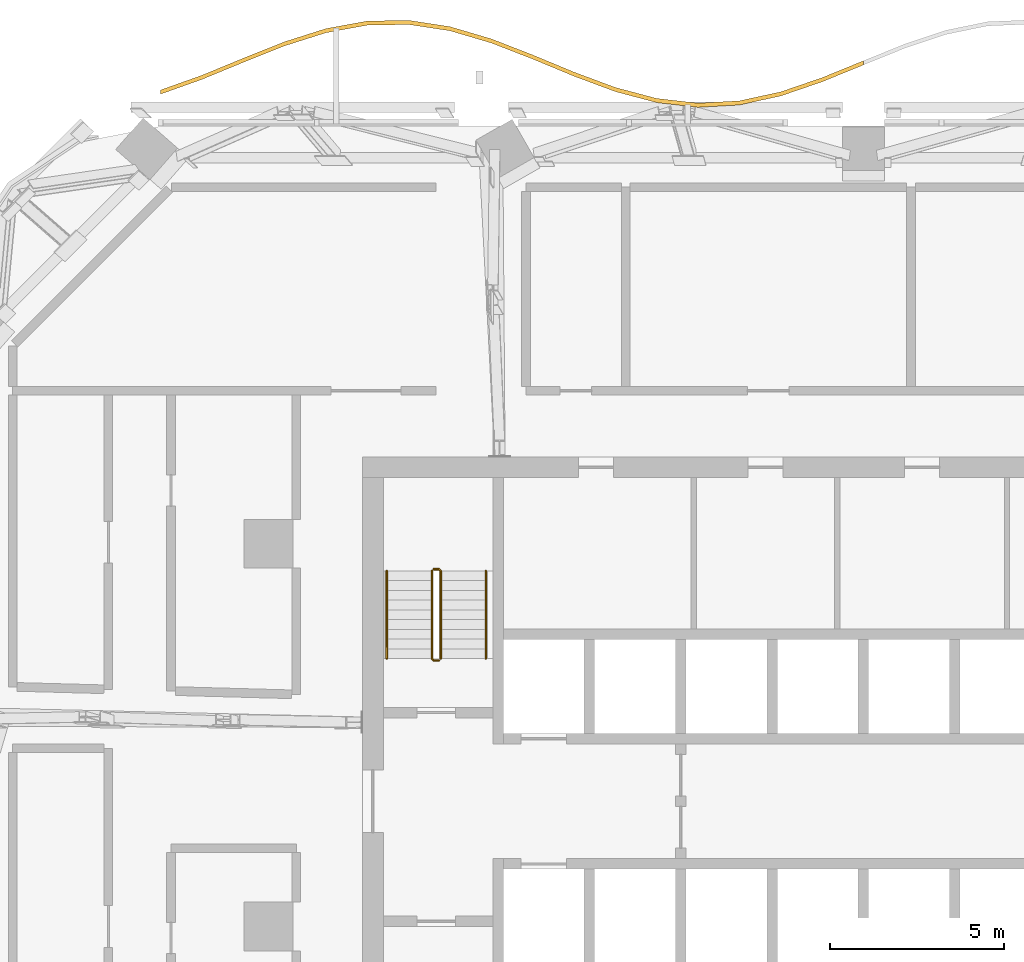
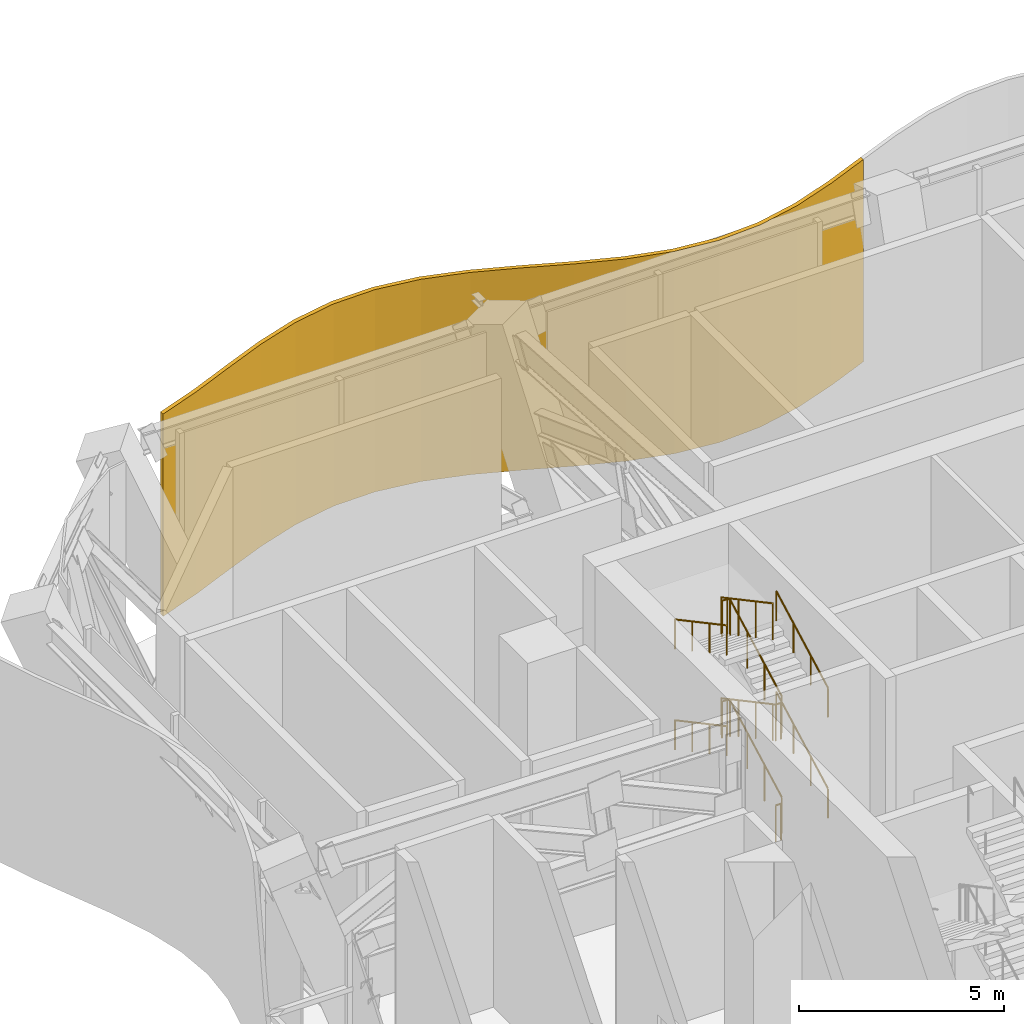
# One storey, part 24 of 26: 9 railings, 1 shading device.
"""IFC4 building model written with IfcOpenShell, lengths in metres."""

import ifcopenshell
import ifcopenshell.guid

model = None  # the IFC model being written
_history = None  # IfcOwnerHistory: only IFC2X3 demands one
_inside = {}  # id of a spatial element -> (the spatial element, [elements in it])
_under = {}  # id of a project, library or spatial element -> (it, [spatial elements below it])
_declared = {}  # id of a project -> (the project, [libraries it declares])
_typed = {}  # id of a type object -> (the type object, [elements of that type])
_made_of = {}  # id of a material, layer set ... -> (it, [elements and type objects made of it])


def new_model(schema):
    """Start an empty IFC model of exactly this schema.

    Asked for "IFC4X3", IfcOpenShell would pick the latest addendum, in which some entities
    have other attributes; the version numbers below select the first issue.
    IFC2X3 requires an IfcOwnerHistory on every rooted entity: one is made here for all.
    """
    global model, _history
    if schema == "IFC4X3":
        model = ifcopenshell.file(schema_version=(4, 3, 0, 0))
    else:
        model = ifcopenshell.file(schema=schema)
    _inside.clear()
    _under.clear()
    _declared.clear()
    _typed.clear()
    _made_of.clear()
    _history = None
    if model.schema == "IFC2X3":
        org = make("IfcOrganization", Name="unknown")
        user = make(
            "IfcPersonAndOrganization",
            ThePerson=make("IfcPerson", FamilyName="unknown"),
            TheOrganization=org,
        )
        app = make(
            "IfcApplication",
            ApplicationDeveloper=org,
            Version="unknown",
            ApplicationFullName="unknown",
            ApplicationIdentifier="unknown",
        )
        _history = make(
            "IfcOwnerHistory",
            OwningUser=user,
            OwningApplication=app,
            ChangeAction="ADDED",
            CreationDate=0,
        )
    return model


def make(cls, **values):
    """One entity of the class cls with the attributes given. An attribute that is None is left unset."""
    return model.create_entity(
        cls, **{name: value for name, value in values.items() if value is not None}
    )


def rooted(cls, **values):
    """An entity with a GlobalId (a new one), such as an element, a storey or a relation."""
    return make(cls, GlobalId=ifcopenshell.guid.new(), OwnerHistory=_history, **values)


def si_unit(unit_type, name, prefix=None):
    """IfcSIUnit, for example si_unit("LENGTHUNIT", "METRE", prefix="MILLI")."""
    return make("IfcSIUnit", UnitType=unit_type, Prefix=prefix, Name=name)


def assignment(units):
    """IfcUnitAssignment: the units of a project."""
    return None if units is None else make("IfcUnitAssignment", Units=units)


def point(xyz):
    """IfcCartesianPoint."""
    return None if xyz is None else make("IfcCartesianPoint", Coordinates=xyz)


def direction(xyz):
    """IfcDirection."""
    return None if xyz is None else make("IfcDirection", DirectionRatios=xyz)


def frame(location, z_axis=None, x_axis=None):
    """IfcAxis2Placement3D, a coordinate frame: its origin and axes. An axis left out is left unset."""
    return make(
        "IfcAxis2Placement3D",
        Location=point(location),
        Axis=direction(z_axis),
        RefDirection=direction(x_axis),
    )


def frame_2d(location, x_axis=None):
    """IfcAxis2Placement2D, a coordinate frame in the plane: its origin and x axis."""
    return make(
        "IfcAxis2Placement2D", Location=point(location), RefDirection=direction(x_axis)
    )


def origin():
    """The frame at (0, 0, 0) with its axes left unset."""
    return frame((0.0, 0.0, 0.0))


def origin_2d():
    """The frame at (0, 0) in the plane with its x axis left unset."""
    return frame_2d((0.0, 0.0))


def place(relative_to, where):
    """IfcLocalPlacement: puts the frame where relative to a parent placement (None: the world)."""
    return make(
        "IfcLocalPlacement", PlacementRelTo=relative_to, RelativePlacement=where
    )


def context(
    kind, dimensions, precision=None, world=None, true_north=None, identifier=None
):
    """IfcGeometricRepresentationContext, for example the 3D "Model" context."""
    return make(
        "IfcGeometricRepresentationContext",
        ContextIdentifier=identifier,
        ContextType=kind,
        CoordinateSpaceDimension=dimensions,
        Precision=precision,
        WorldCoordinateSystem=world,
        TrueNorth=true_north,
    )


def subcontext(parent, identifier, kind, view, scale=None):
    """IfcGeometricRepresentationSubContext, for example "Body" below "Model"."""
    return make(
        "IfcGeometricRepresentationSubContext",
        ContextIdentifier=identifier,
        ContextType=kind,
        ParentContext=parent,
        TargetScale=scale,
        TargetView=view,
    )


def project(units=None, contexts=None):
    """IfcProject with its units and contexts."""
    return rooted(
        "IfcProject",
        Name="project",
        RepresentationContexts=contexts,
        UnitsInContext=assignment(units),
    )


def spatial(cls, under=None, at=None, **own):
    """A site, building, storey or space (cls), placed at a placement, below another one or the project."""
    s = rooted(cls, ObjectPlacement=at, **own)
    if under is not None:
        _under.setdefault(under.id(), (under, []))[1].append(s)
    return s


def polyline(points):
    """IfcPolyline through the points."""
    return make("IfcPolyline", Points=[point(p) for p in points])


def profile(cls, at=None, kind="AREA", **sizes):
    """A parametric profile (cls). Its sizes go by their IFC names, for example OverallWidth=200.0."""
    return make(cls, ProfileType=kind, Position=at, **sizes)


def circle(**sizes):
    """IfcCircleProfileDef."""
    return profile("IfcCircleProfileDef", **sizes)


def outline(outer, holes=None, kind="AREA"):
    """IfcArbitraryClosedProfileDef: a profile drawn as a closed curve; with holes, ...WithVoids."""
    if holes is None:
        return make("IfcArbitraryClosedProfileDef", ProfileType=kind, OuterCurve=outer)
    return make(
        "IfcArbitraryProfileDefWithVoids",
        ProfileType=kind,
        OuterCurve=outer,
        InnerCurves=holes,
    )


def extrude(swept, where, along, depth):
    """IfcExtrudedAreaSolid: the profile swept, set in the frame where, extruded along a direction by depth."""
    return make(
        "IfcExtrudedAreaSolid",
        SweptArea=swept,
        Position=where,
        ExtrudedDirection=direction(along),
        Depth=depth,
    )


def shape(context_of_items, identifier, shape_type, items):
    """IfcShapeRepresentation: the items that make up one representation, for example the "Body"."""
    return make(
        "IfcShapeRepresentation",
        ContextOfItems=context_of_items,
        RepresentationIdentifier=identifier,
        RepresentationType=shape_type,
        Items=items,
    )


def material(Name=None, Category=None):
    """IfcMaterial."""
    return make("IfcMaterial", Name=Name, Category=Category)


def layer(
    of_material, thickness, ventilated=None, Name=None, Category=None, Priority=None
):
    """IfcMaterialLayer: one layer of a wall or slab, of a material (None: an air gap)."""
    return make(
        "IfcMaterialLayer",
        Material=of_material,
        LayerThickness=thickness,
        IsVentilated=ventilated,
        Name=Name,
        Category=Category,
        Priority=Priority,
    )


def layer_set(layers, Name=None):
    """IfcMaterialLayerSet."""
    return make("IfcMaterialLayerSet", MaterialLayers=layers, LayerSetName=Name)


def made_of(thing, what):
    """Note that an element or type object is made of a material, layer set ...; save() writes the relation."""
    if what is not None:
        _made_of.setdefault(what.id(), (what, []))[1].append(thing)
    return thing


def type_object(cls, material=None, **own):
    """A type object (cls), such as IfcWallType, which elements share."""
    return made_of(rooted(cls, **own), material)


def element(
    cls,
    number,
    at=None,
    inside=None,
    cuts=None,
    type_object=None,
    material=None,
    context=None,
    identifier="Body",
    shape_type=None,
    held_by="IfcProductDefinitionShape",
    body=None,
    shapes=None,
    **own,
):
    """One element of the class cls, such as IfcWall. Its Tag is "e" and its number.

    at: its placement. inside: the storey or other place that contains it. cuts: it is an
    opening in that element (IfcRelVoidsElement). A single representation is given by context,
    identifier, shape_type and body (its items); several are given by shapes. held_by: the class
    of the entity that holds the representations. save() writes the other relations.
    """
    e = rooted(cls, Tag="e%d" % number, ObjectPlacement=at, **own)
    if body is not None:
        shapes = [shape(context, identifier, shape_type, body)]
    if shapes is not None:
        e.Representation = make(held_by, Representations=shapes)
    if inside is not None:
        _inside.setdefault(inside.id(), (inside, []))[1].append(e)
    if cuts is not None:
        rooted(
            "IfcRelVoidsElement", RelatingBuildingElement=cuts, RelatedOpeningElement=e
        )
    if type_object is not None:
        _typed.setdefault(type_object.id(), (type_object, []))[1].append(e)
    return made_of(e, material)


def aggregate(whole, parts):
    """IfcRelAggregates: a whole, such as a stair, and the parts it consists of."""
    return rooted("IfcRelAggregates", RelatingObject=whole, RelatedObjects=parts)


def save(model, path):
    """Write the relations noted so far, then the file.

    IfcRelAggregates (storeys below a building ...), IfcRelContainedInSpatialStructure (elements
    in a storey), IfcRelDefinesByType, IfcRelAssociatesMaterial and IfcRelDeclares: one each for
    every whole, place, type object, material and project.
    """
    for whole, parts in _under.values():
        aggregate(whole, parts)
    for where, things in _inside.values():
        rooted(
            "IfcRelContainedInSpatialStructure",
            RelatedElements=things,
            RelatingStructure=where,
        )
    for kind, things in _typed.values():
        rooted("IfcRelDefinesByType", RelatedObjects=things, RelatingType=kind)
    for what, things in _made_of.values():
        rooted("IfcRelAssociatesMaterial", RelatedObjects=things, RelatingMaterial=what)
    for by, libraries in _declared.values():
        rooted("IfcRelDeclares", RelatingContext=by, RelatedDefinitions=libraries)
    model.write(path)


model = new_model("IFC4")

# Units and contexts
model_context = context("Model", 3, precision=1e-05, world=origin(), true_north=direction((0.0, 1.0)))
body_context = subcontext(model_context, "Body", "Model", "MODEL_VIEW")
ifc_project = project(units=[si_unit("LENGTHUNIT", "METRE"), si_unit("AREAUNIT", "SQUARE_METRE"), si_unit("VOLUMEUNIT", "CUBIC_METRE"), si_unit("PLANEANGLEUNIT", "RADIAN"), si_unit("MASSUNIT", "GRAM", prefix="KILO")], contexts=[model_context])

# Site, building, storey
site_placement = place(None, origin())
site = spatial("IfcSite", under=ifc_project, at=site_placement, CompositionType="ELEMENT")
building_placement = place(site_placement, origin())
building = spatial("IfcBuilding", under=site, at=building_placement, Name="Mopane Tessera Tower", CompositionType="ELEMENT")
storey_placement = place(building_placement, frame((0.0, 0.0, 205.0)))
storey = spatial("IfcBuildingStorey", under=building, at=storey_placement, Name="L43", CompositionType="ELEMENT", Elevation=205.0)

# Railings
ifc_material_1 = material(Name="Powder-coated steel balustrade", Category="steel")
railing_type_1 = type_object("IfcRailingType", Name="Escape stair guard 1100 mm", PredefinedType="GUARDRAIL", material=ifc_material_1)
railing_1_placement = place(storey_placement, frame((-12.14990234375, 7.699951171875, 0.14990234375)))
element("IfcRailing", 1, at=railing_1_placement, inside=storey, type_object=railing_type_1, Name="L43 ST2 stair guard 1", PredefinedType="GUARDRAIL", context=body_context, shape_type="SweptSolid", body=[
    extrude(circle(Radius=0.02392578125, at=origin_2d()), frame((0.0, 0.0, 1.076171875), z_axis=(0.0, 0.881467274426, 0.472245110209), x_axis=(-1.0, 0.0, 0.0)), (0.0, 0.0, 1.0), 2.85888671875),
    extrude(circle(Radius=0.02392578125, at=origin_2d()), frame((0.0, 2.52001953125, 2.42626953125), z_axis=(-0.707106781187, 0.707106781187, 0.0), x_axis=(-0.707106781187, -0.707106781187, 0.0)), (0.0, 0.0, 1.0), 0.07080078125),
    extrude(circle(Radius=0.02392578125, at=origin_2d()), frame((-0.050048828125, 2.570068359375, 2.42626953125), z_axis=(-1.0, 0.0, 0.0), x_axis=(0.0, -1.0, 0.0)), (0.0, 0.0, 1.0), 0.150146484375),
    extrude(circle(Radius=0.02099609375, at=origin_2d()), origin(), (0.0, 0.0, 1.0), 1.052001953125),
    extrude(circle(Radius=0.02099609375, at=origin_2d()), frame((0.0, 0.840087890625, 0.449951171875)), (0.0, 0.0, 1.0), 1.052001953125),
    extrude(circle(Radius=0.02099609375, at=origin_2d()), frame((0.0, 1.679931640625, 0.900146484375)), (0.0, 0.0, 1.0), 1.052001953125),
    extrude(circle(Radius=0.02099609375, at=origin_2d()), frame((0.0, 2.52001953125, 1.35009765625)), (0.0, 0.0, 1.0), 1.052001953125),
    extrude(circle(Radius=0.02099609375, at=origin_2d()), frame((-0.050048828125, 2.570068359375, 1.35009765625)), (0.0, 0.0, 1.0), 1.052001953125),
    extrude(circle(Radius=0.02099609375, at=origin_2d()), frame((-0.2001953125, 2.570068359375, 1.35009765625)), (0.0, 0.0, 1.0), 1.052001953125),
])
railing_2_placement = place(storey_placement, frame((-12.39990234375, 10.219970703125, 1.64990234375)))
element("IfcRailing", 2, at=railing_2_placement, inside=storey, type_object=railing_type_1, Name="L43 ST2 stair guard 2", PredefinedType="GUARDRAIL", context=body_context, shape_type="SweptSolid", body=[
    extrude(circle(Radius=0.02392578125, at=origin_2d()), frame((0.0, 0.0, 1.076171875), z_axis=(0.0, -0.881467274426, 0.472245110209), x_axis=(1.0, 0.0, 0.0)), (0.0, 0.0, 1.0), 2.85888671875),
    extrude(circle(Radius=0.02392578125, at=origin_2d()), frame((0.0, -2.52001953125, 2.42626953125), z_axis=(0.705375805398, -0.708833529934, 0.0), x_axis=(0.708833529934, 0.705375805398, 0.0)), (0.0, 0.0, 1.0), 0.070556640625),
    extrude(circle(Radius=0.02392578125, at=origin_2d()), frame((0.0498046875, -2.570068359375, 2.42626953125), z_axis=(1.0, 0.0, 0.0), x_axis=(0.0, 1.0, 0.0)), (0.0, 0.0, 1.0), 0.150146484375),
    extrude(circle(Radius=0.02099609375, at=origin_2d()), origin(), (0.0, 0.0, 1.0), 1.052001953125),
    extrude(circle(Radius=0.02099609375, at=origin_2d()), frame((0.0, -0.840087890625, 0.449951171875)), (0.0, 0.0, 1.0), 1.052001953125),
    extrude(circle(Radius=0.02099609375, at=origin_2d()), frame((0.0, -1.679931640625, 0.900146484375)), (0.0, 0.0, 1.0), 1.052001953125),
    extrude(circle(Radius=0.02099609375, at=origin_2d()), frame((0.0, -2.52001953125, 1.35009765625)), (0.0, 0.0, 1.0), 1.052001953125),
    extrude(circle(Radius=0.02099609375, at=origin_2d()), frame((0.0498046875, -2.570068359375, 1.35009765625)), (0.0, 0.0, 1.0), 1.052001953125),
    extrude(circle(Radius=0.02099609375, at=origin_2d()), frame((0.199951171875, -2.570068359375, 1.35009765625)), (0.0, 0.0, 1.0), 1.052001953125),
])
railing_3_placement = place(storey_placement, frame((-12.14990234375, 7.699951171875, 3.14990234375)))
element("IfcRailing", 3, at=railing_3_placement, inside=storey, type_object=railing_type_1, Name="L43 ST2 stair guard 3", PredefinedType="GUARDRAIL", context=body_context, shape_type="SweptSolid", body=[
    extrude(circle(Radius=0.02392578125, at=origin_2d()), frame((0.0, 0.0, 1.076171875), z_axis=(0.0, 0.881467274426, 0.472245110209), x_axis=(-1.0, 0.0, 0.0)), (0.0, 0.0, 1.0), 2.85888671875),
    extrude(circle(Radius=0.02392578125, at=origin_2d()), frame((0.0, 2.52001953125, 2.42626953125), z_axis=(-0.707106781187, 0.707106781187, 0.0), x_axis=(-0.707106781187, -0.707106781187, 0.0)), (0.0, 0.0, 1.0), 0.07080078125),
    extrude(circle(Radius=0.02392578125, at=origin_2d()), frame((-0.050048828125, 2.570068359375, 2.42626953125), z_axis=(-1.0, 0.0, 0.0), x_axis=(0.0, -1.0, 0.0)), (0.0, 0.0, 1.0), 0.150146484375),
    extrude(circle(Radius=0.02099609375, at=origin_2d()), origin(), (0.0, 0.0, 1.0), 1.052001953125),
    extrude(circle(Radius=0.02099609375, at=origin_2d()), frame((0.0, 0.840087890625, 0.449951171875)), (0.0, 0.0, 1.0), 1.052001953125),
    extrude(circle(Radius=0.02099609375, at=origin_2d()), frame((0.0, 1.679931640625, 0.900146484375)), (0.0, 0.0, 1.0), 1.052001953125),
    extrude(circle(Radius=0.02099609375, at=origin_2d()), frame((0.0, 2.52001953125, 1.35009765625)), (0.0, 0.0, 1.0), 1.052001953125),
    extrude(circle(Radius=0.02099609375, at=origin_2d()), frame((-0.050048828125, 2.570068359375, 1.35009765625)), (0.0, 0.0, 1.0), 1.052001953125),
    extrude(circle(Radius=0.02099609375, at=origin_2d()), frame((-0.2001953125, 2.570068359375, 1.35009765625)), (0.0, 0.0, 1.0), 1.052001953125),
])
railing_4_placement = place(storey_placement, frame((-12.39990234375, 10.219970703125, 4.64990234375)))
element("IfcRailing", 4, at=railing_4_placement, inside=storey, type_object=railing_type_1, Name="L43 ST2 stair guard 4", PredefinedType="GUARDRAIL", context=body_context, shape_type="SweptSolid", body=[
    extrude(circle(Radius=0.02392578125, at=origin_2d()), frame((0.0, 0.0, 1.076171875), z_axis=(0.0, -0.881467274426, 0.472245110209), x_axis=(1.0, 0.0, 0.0)), (0.0, 0.0, 1.0), 2.85888671875),
    extrude(circle(Radius=0.02099609375, at=origin_2d()), origin(), (0.0, 0.0, 1.0), 1.052001953125),
    extrude(circle(Radius=0.02099609375, at=origin_2d()), frame((0.0, -0.840087890625, 0.449951171875)), (0.0, 0.0, 1.0), 1.052001953125),
    extrude(circle(Radius=0.02099609375, at=origin_2d()), frame((0.0, -1.679931640625, 0.900146484375)), (0.0, 0.0, 1.0), 1.052001953125),
    extrude(circle(Radius=0.02099609375, at=origin_2d()), frame((0.0, -2.52001953125, 1.35009765625)), (0.0, 0.0, 1.0), 1.052001953125),
])
railing_5_placement = place(storey_placement, frame((-12.199951171875, 7.64990234375, 0.0)))
element("IfcRailing", 5, at=railing_5_placement, inside=storey, type_object=railing_type_1, Name="L43 ST2 stair guard 5", PredefinedType="GUARDRAIL", context=body_context, shape_type="SweptSolid", body=[
    extrude(circle(Radius=0.02392578125, at=origin_2d()), frame((0.0, 0.0, 1.076171875), z_axis=(-1.0, 0.0, 0.0), x_axis=(0.0, -1.0, 0.0)), (0.0, 0.0, 1.0), 0.150146484375),
    extrude(circle(Radius=0.02099609375, at=origin_2d()), origin(), (0.0, 0.0, 1.0), 1.052001953125),
    extrude(circle(Radius=0.02099609375, at=origin_2d()), frame((-0.150146484375, 0.0, 0.0)), (0.0, 0.0, 1.0), 1.052001953125),
])
ifc_material_2 = material(Name="Powder-coated steel balustrade", Category="steel")
railing_type_2 = type_object("IfcRailingType", Name="Escape stair handrail 900 mm", PredefinedType="HANDRAIL", material=ifc_material_2)
railing_6_placement = place(storey_placement, frame((-10.85009765625, 7.699951171875, 0.14990234375)))
element("IfcRailing", 6, at=railing_6_placement, inside=storey, type_object=railing_type_2, Name="L43 ST2 stair handrail 1", PredefinedType="HANDRAIL", context=body_context, shape_type="SweptSolid", body=[
    extrude(circle(Radius=0.02392578125, at=origin_2d()), frame((0.0, 0.0, 0.8759765625), z_axis=(0.0, 0.881467274426, 0.472245110209), x_axis=(-1.0, 0.0, 0.0)), (0.0, 0.0, 1.0), 2.85888671875),
    extrude(circle(Radius=0.02099609375, at=origin_2d()), origin(), (0.0, 0.0, 1.0), 0.851806640625),
    extrude(circle(Radius=0.02099609375, at=origin_2d()), frame((0.0, 0.840087890625, 0.449951171875)), (0.0, 0.0, 1.0), 0.851806640625),
    extrude(circle(Radius=0.02099609375, at=origin_2d()), frame((0.0, 1.679931640625, 0.900146484375)), (0.0, 0.0, 1.0), 0.851806640625),
    extrude(circle(Radius=0.02099609375, at=origin_2d()), frame((0.0, 2.52001953125, 1.35009765625)), (0.0, 0.0, 1.0), 0.851806640625),
])
railing_7_placement = place(storey_placement, frame((-13.699951171875, 10.219970703125, 1.64990234375)))
element("IfcRailing", 7, at=railing_7_placement, inside=storey, type_object=railing_type_2, Name="L43 ST2 stair handrail 2", PredefinedType="HANDRAIL", context=body_context, shape_type="SweptSolid", body=[
    extrude(circle(Radius=0.02392578125, at=origin_2d()), frame((0.0, 0.0, 0.8759765625), z_axis=(0.0, -0.881467274426, 0.472245110209), x_axis=(1.0, 0.0, 0.0)), (0.0, 0.0, 1.0), 2.85888671875),
    extrude(circle(Radius=0.02099609375, at=origin_2d()), origin(), (0.0, 0.0, 1.0), 0.851806640625),
    extrude(circle(Radius=0.02099609375, at=origin_2d()), frame((0.0, -0.840087890625, 0.449951171875)), (0.0, 0.0, 1.0), 0.851806640625),
    extrude(circle(Radius=0.02099609375, at=origin_2d()), frame((0.0, -1.679931640625, 0.900146484375)), (0.0, 0.0, 1.0), 0.851806640625),
    extrude(circle(Radius=0.02099609375, at=origin_2d()), frame((0.0, -2.52001953125, 1.35009765625)), (0.0, 0.0, 1.0), 0.851806640625),
])
railing_8_placement = place(storey_placement, frame((-10.85009765625, 7.699951171875, 3.14990234375)))
element("IfcRailing", 8, at=railing_8_placement, inside=storey, type_object=railing_type_2, Name="L43 ST2 stair handrail 3", PredefinedType="HANDRAIL", context=body_context, shape_type="SweptSolid", body=[
    extrude(circle(Radius=0.02392578125, at=origin_2d()), frame((0.0, 0.0, 0.8759765625), z_axis=(0.0, 0.881467274426, 0.472245110209), x_axis=(-1.0, 0.0, 0.0)), (0.0, 0.0, 1.0), 2.85888671875),
    extrude(circle(Radius=0.02099609375, at=origin_2d()), origin(), (0.0, 0.0, 1.0), 0.851806640625),
    extrude(circle(Radius=0.02099609375, at=origin_2d()), frame((0.0, 0.840087890625, 0.449951171875)), (0.0, 0.0, 1.0), 0.851806640625),
    extrude(circle(Radius=0.02099609375, at=origin_2d()), frame((0.0, 1.679931640625, 0.900146484375)), (0.0, 0.0, 1.0), 0.851806640625),
    extrude(circle(Radius=0.02099609375, at=origin_2d()), frame((0.0, 2.52001953125, 1.35009765625)), (0.0, 0.0, 1.0), 0.851806640625),
])
railing_9_placement = place(storey_placement, frame((-13.699951171875, 10.219970703125, 4.64990234375)))
element("IfcRailing", 9, at=railing_9_placement, inside=storey, type_object=railing_type_2, Name="L43 ST2 stair handrail 4", PredefinedType="HANDRAIL", context=body_context, shape_type="SweptSolid", body=[
    extrude(circle(Radius=0.02392578125, at=origin_2d()), frame((0.0, 0.0, 0.8759765625), z_axis=(0.0, -0.881467274426, 0.472245110209), x_axis=(1.0, 0.0, 0.0)), (0.0, 0.0, 1.0), 2.85888671875),
    extrude(circle(Radius=0.02099609375, at=origin_2d()), origin(), (0.0, 0.0, 1.0), 0.851806640625),
    extrude(circle(Radius=0.02099609375, at=origin_2d()), frame((0.0, -0.840087890625, 0.449951171875)), (0.0, 0.0, 1.0), 0.851806640625),
    extrude(circle(Radius=0.02099609375, at=origin_2d()), frame((0.0, -1.679931640625, 0.900146484375)), (0.0, 0.0, 1.0), 0.851806640625),
    extrude(circle(Radius=0.02099609375, at=origin_2d()), frame((0.0, -2.52001953125, 1.35009765625)), (0.0, 0.0, 1.0), 0.851806640625),
])

# Shading device
ifc_material_3 = material(Name="Anodised aluminium louvre blades", Category="aluminium")
ifc_layer = layer(ifc_material_3, 0.1201171875)
ifc_layer_set = layer_set([ifc_layer], Name="Anodised aluminium louvre blades")
shading_device_type = type_object("IfcShadingDeviceType", Name="Wave louvre screen", PredefinedType="JALOUSIE", material=ifc_layer_set)
shading_device_placement = place(storey_placement, frame((0.0, 0.0, -0.419921875)))
element("IfcShadingDevice", 10, at=shading_device_placement, inside=storey, type_object=shading_device_type, Name="e:lv:L43:N:1", PredefinedType="JALOUSIE", context=body_context, shape_type="SweptSolid", body=[
    extrude(outline(polyline([(0.0, 24.760986328125), (-1.188232421875, 24.275634765625), (-2.37646484375, 23.869140625), (-3.564697265625, 23.6103515625), (-4.7529296875, 23.54296875), (-5.941162109375, 23.6787109375), (-7.12939453125, 23.994384765625), (-8.317626953125, 24.4365234375), (-9.505859375, 24.93017578125), (-10.694091796875, 25.3916015625), (-11.88232421875, 25.742431640625), (-13.070556640625, 25.92333984375), (-14.2587890625, 25.903564453125), (-15.447021484375, 25.686279296875), (-16.63525390625, 25.308837890625), (-17.823486328125, 24.834716796875), (-19.01171875, 24.3447265625), (-20.199951171875, 23.921630859375), (-20.199951171875, 24.04150390625), (-19.01171875, 24.464599609375), (-17.823486328125, 24.954833984375), (-16.63525390625, 25.4287109375), (-15.447021484375, 25.806396484375), (-14.2587890625, 26.0234375), (-13.070556640625, 26.043212890625), (-11.88232421875, 25.8623046875), (-10.694091796875, 25.511474609375), (-9.505859375, 25.050048828125), (-8.317626953125, 24.556640625), (-7.12939453125, 24.114501953125), (-5.941162109375, 23.798828125), (-4.7529296875, 23.6630859375), (-3.564697265625, 23.730224609375), (-2.37646484375, 23.989013671875), (-1.188232421875, 24.395751953125), (0.0, 24.880859375), (0.0, 24.760986328125)])), origin(), (0.0, 0.0, 1.0), 6.02001953125),
])

save(model, "model.ifc")
